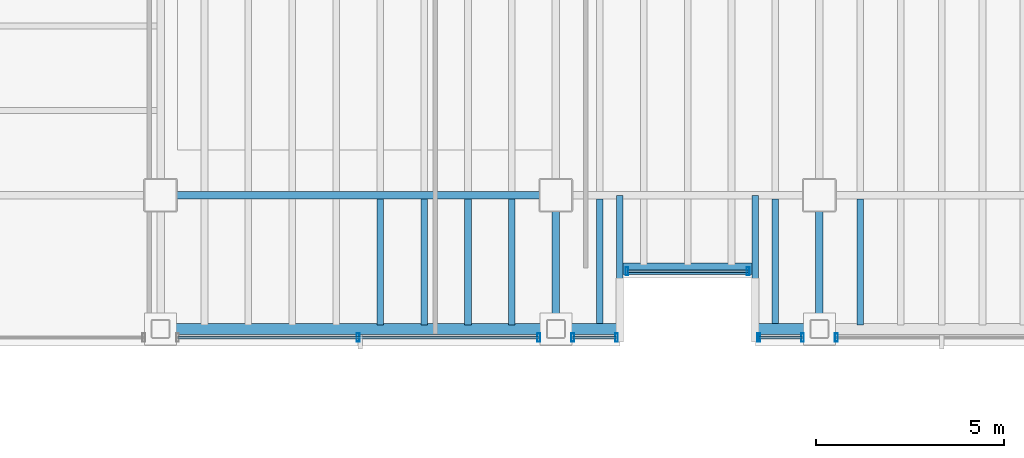
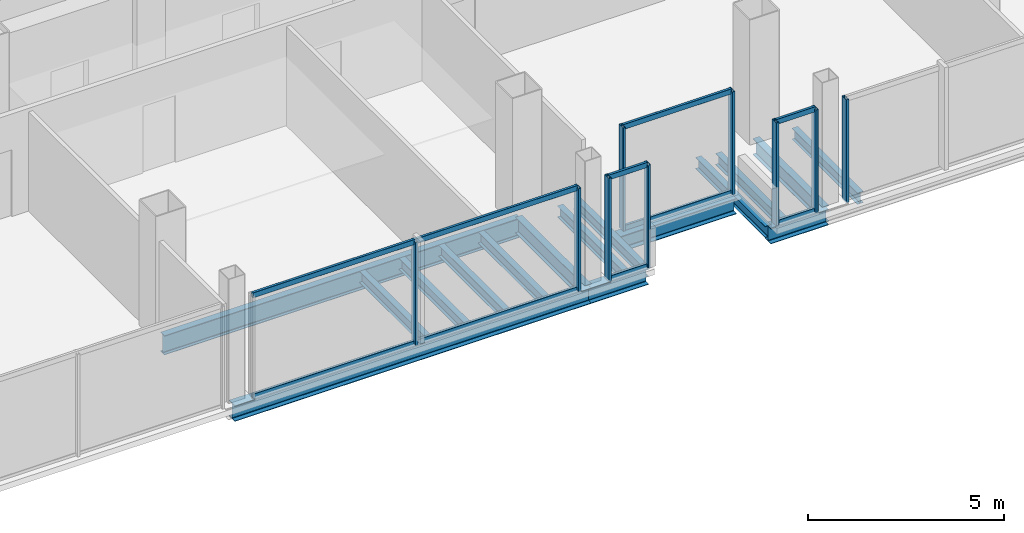
# One storey, part 4 of 19: 17 members, 16 beams, 5 elements without a shape of their own.
"""IFC4 building model written with IfcOpenShell, lengths in metres."""

import ifcopenshell
import ifcopenshell.guid

model = None  # the IFC model being written
_history = None  # IfcOwnerHistory: only IFC2X3 demands one
_inside = {}  # id of a spatial element -> (the spatial element, [elements in it])
_under = {}  # id of a project, library or spatial element -> (it, [spatial elements below it])
_declared = {}  # id of a project -> (the project, [libraries it declares])
_typed = {}  # id of a type object -> (the type object, [elements of that type])
_made_of = {}  # id of a material, layer set ... -> (it, [elements and type objects made of it])


def new_model(schema):
    """Start an empty IFC model of exactly this schema.

    Asked for "IFC4X3", IfcOpenShell would pick the latest addendum, in which some entities
    have other attributes; the version numbers below select the first issue.
    IFC2X3 requires an IfcOwnerHistory on every rooted entity: one is made here for all.
    """
    global model, _history
    if schema == "IFC4X3":
        model = ifcopenshell.file(schema_version=(4, 3, 0, 0))
    else:
        model = ifcopenshell.file(schema=schema)
    _inside.clear()
    _under.clear()
    _declared.clear()
    _typed.clear()
    _made_of.clear()
    _history = None
    if model.schema == "IFC2X3":
        org = make("IfcOrganization", Name="unknown")
        user = make(
            "IfcPersonAndOrganization",
            ThePerson=make("IfcPerson", FamilyName="unknown"),
            TheOrganization=org,
        )
        app = make(
            "IfcApplication",
            ApplicationDeveloper=org,
            Version="unknown",
            ApplicationFullName="unknown",
            ApplicationIdentifier="unknown",
        )
        _history = make(
            "IfcOwnerHistory",
            OwningUser=user,
            OwningApplication=app,
            ChangeAction="ADDED",
            CreationDate=0,
        )
    return model


def make(cls, **values):
    """One entity of the class cls with the attributes given. An attribute that is None is left unset."""
    return model.create_entity(
        cls, **{name: value for name, value in values.items() if value is not None}
    )


def rooted(cls, **values):
    """An entity with a GlobalId (a new one), such as an element, a storey or a relation."""
    return make(cls, GlobalId=ifcopenshell.guid.new(), OwnerHistory=_history, **values)


def si_unit(unit_type, name, prefix=None):
    """IfcSIUnit, for example si_unit("LENGTHUNIT", "METRE", prefix="MILLI")."""
    return make("IfcSIUnit", UnitType=unit_type, Prefix=prefix, Name=name)


def assignment(units):
    """IfcUnitAssignment: the units of a project."""
    return None if units is None else make("IfcUnitAssignment", Units=units)


def point(xyz):
    """IfcCartesianPoint."""
    return None if xyz is None else make("IfcCartesianPoint", Coordinates=xyz)


def direction(xyz):
    """IfcDirection."""
    return None if xyz is None else make("IfcDirection", DirectionRatios=xyz)


def frame(location, z_axis=None, x_axis=None):
    """IfcAxis2Placement3D, a coordinate frame: its origin and axes. An axis left out is left unset."""
    return make(
        "IfcAxis2Placement3D",
        Location=point(location),
        Axis=direction(z_axis),
        RefDirection=direction(x_axis),
    )


def frame_2d(location, x_axis=None):
    """IfcAxis2Placement2D, a coordinate frame in the plane: its origin and x axis."""
    return make(
        "IfcAxis2Placement2D", Location=point(location), RefDirection=direction(x_axis)
    )


def origin():
    """The frame at (0, 0, 0) with its axes left unset."""
    return frame((0.0, 0.0, 0.0))


def origin_2d():
    """The frame at (0, 0) in the plane with its x axis left unset."""
    return frame_2d((0.0, 0.0))


def place(relative_to, where):
    """IfcLocalPlacement: puts the frame where relative to a parent placement (None: the world)."""
    return make(
        "IfcLocalPlacement", PlacementRelTo=relative_to, RelativePlacement=where
    )


def context(
    kind, dimensions, precision=None, world=None, true_north=None, identifier=None
):
    """IfcGeometricRepresentationContext, for example the 3D "Model" context."""
    return make(
        "IfcGeometricRepresentationContext",
        ContextIdentifier=identifier,
        ContextType=kind,
        CoordinateSpaceDimension=dimensions,
        Precision=precision,
        WorldCoordinateSystem=world,
        TrueNorth=true_north,
    )


def subcontext(parent, identifier, kind, view, scale=None):
    """IfcGeometricRepresentationSubContext, for example "Body" below "Model"."""
    return make(
        "IfcGeometricRepresentationSubContext",
        ContextIdentifier=identifier,
        ContextType=kind,
        ParentContext=parent,
        TargetScale=scale,
        TargetView=view,
    )


def project(units=None, contexts=None):
    """IfcProject with its units and contexts."""
    return rooted(
        "IfcProject",
        Name="project",
        RepresentationContexts=contexts,
        UnitsInContext=assignment(units),
    )


def spatial(cls, under=None, at=None, **own):
    """A site, building, storey or space (cls), placed at a placement, below another one or the project."""
    s = rooted(cls, ObjectPlacement=at, **own)
    if under is not None:
        _under.setdefault(under.id(), (under, []))[1].append(s)
    return s


def profile(cls, at=None, kind="AREA", **sizes):
    """A parametric profile (cls). Its sizes go by their IFC names, for example OverallWidth=200.0."""
    return make(cls, ProfileType=kind, Position=at, **sizes)


def hollow_rectangle(**sizes):
    """IfcRectangleHollowProfileDef."""
    return profile("IfcRectangleHollowProfileDef", **sizes)


def i_section(**sizes):
    """IfcIShapeProfileDef."""
    return profile("IfcIShapeProfileDef", **sizes)


def extrude(swept, where, along, depth):
    """IfcExtrudedAreaSolid: the profile swept, set in the frame where, extruded along a direction by depth."""
    return make(
        "IfcExtrudedAreaSolid",
        SweptArea=swept,
        Position=where,
        ExtrudedDirection=direction(along),
        Depth=depth,
    )


def shape(context_of_items, identifier, shape_type, items):
    """IfcShapeRepresentation: the items that make up one representation, for example the "Body"."""
    return make(
        "IfcShapeRepresentation",
        ContextOfItems=context_of_items,
        RepresentationIdentifier=identifier,
        RepresentationType=shape_type,
        Items=items,
    )


def material(Name=None, Category=None):
    """IfcMaterial."""
    return make("IfcMaterial", Name=Name, Category=Category)


def material_profile(
    of_material, cross_section, Name=None, Category=None, Priority=None
):
    """IfcMaterialProfile: a cross section and its material."""
    return make(
        "IfcMaterialProfile",
        Name=Name,
        Material=of_material,
        Profile=cross_section,
        Priority=Priority,
        Category=Category,
    )


def profile_set(profiles, Name=None, composite=None):
    """IfcMaterialProfileSet."""
    return make(
        "IfcMaterialProfileSet",
        Name=Name,
        MaterialProfiles=profiles,
        CompositeProfile=composite,
    )


def made_of(thing, what):
    """Note that an element or type object is made of a material, layer set ...; save() writes the relation."""
    if what is not None:
        _made_of.setdefault(what.id(), (what, []))[1].append(thing)
    return thing


def type_object(cls, material=None, **own):
    """A type object (cls), such as IfcWallType, which elements share."""
    return made_of(rooted(cls, **own), material)


def element(
    cls,
    number,
    at=None,
    inside=None,
    cuts=None,
    type_object=None,
    material=None,
    context=None,
    identifier="Body",
    shape_type=None,
    held_by="IfcProductDefinitionShape",
    body=None,
    shapes=None,
    **own,
):
    """One element of the class cls, such as IfcWall. Its Tag is "e" and its number.

    at: its placement. inside: the storey or other place that contains it. cuts: it is an
    opening in that element (IfcRelVoidsElement). A single representation is given by context,
    identifier, shape_type and body (its items); several are given by shapes. held_by: the class
    of the entity that holds the representations. save() writes the other relations.
    """
    e = rooted(cls, Tag="e%d" % number, ObjectPlacement=at, **own)
    if body is not None:
        shapes = [shape(context, identifier, shape_type, body)]
    if shapes is not None:
        e.Representation = make(held_by, Representations=shapes)
    if inside is not None:
        _inside.setdefault(inside.id(), (inside, []))[1].append(e)
    if cuts is not None:
        rooted(
            "IfcRelVoidsElement", RelatingBuildingElement=cuts, RelatedOpeningElement=e
        )
    if type_object is not None:
        _typed.setdefault(type_object.id(), (type_object, []))[1].append(e)
    return made_of(e, material)


def aggregate(whole, parts):
    """IfcRelAggregates: a whole, such as a stair, and the parts it consists of."""
    return rooted("IfcRelAggregates", RelatingObject=whole, RelatedObjects=parts)


def save(model, path):
    """Write the relations noted so far, then the file.

    IfcRelAggregates (storeys below a building ...), IfcRelContainedInSpatialStructure (elements
    in a storey), IfcRelDefinesByType, IfcRelAssociatesMaterial and IfcRelDeclares: one each for
    every whole, place, type object, material and project.
    """
    for whole, parts in _under.values():
        aggregate(whole, parts)
    for where, things in _inside.values():
        rooted(
            "IfcRelContainedInSpatialStructure",
            RelatedElements=things,
            RelatingStructure=where,
        )
    for kind, things in _typed.values():
        rooted("IfcRelDefinesByType", RelatedObjects=things, RelatingType=kind)
    for what, things in _made_of.values():
        rooted("IfcRelAssociatesMaterial", RelatedObjects=things, RelatingMaterial=what)
    for by, libraries in _declared.values():
        rooted("IfcRelDeclares", RelatingContext=by, RelatedDefinitions=libraries)
    model.write(path)


model = new_model("IFC4")

# Units and contexts
model_context = context("Model", 3, precision=1e-05, world=origin(), true_north=direction((0.0, 1.0)))
body_context = subcontext(model_context, "Body", "Model", "MODEL_VIEW")
ifc_project = project(units=[si_unit("LENGTHUNIT", "METRE"), si_unit("AREAUNIT", "SQUARE_METRE"), si_unit("VOLUMEUNIT", "CUBIC_METRE"), si_unit("PLANEANGLEUNIT", "RADIAN"), si_unit("MASSUNIT", "GRAM", prefix="KILO")], contexts=[model_context])

# Site, building, storey
site_placement = place(None, origin())
site = spatial("IfcSite", under=ifc_project, at=site_placement, CompositionType="ELEMENT")
building_placement = place(site_placement, origin())
building = spatial("IfcBuilding", under=site, at=building_placement, Name="Noeulbin Bourse Tower", CompositionType="ELEMENT")
storey_placement = place(building_placement, frame((0.0, 0.0, 150.0)))
storey = spatial("IfcBuildingStorey", under=building, at=storey_placement, Name="L37", CompositionType="ELEMENT", Elevation=150.0)

# Beams
ifc_material_1 = material(Name="Steel S355", Category="steel")
ifc_material_profile_1 = material_profile(ifc_material_1, i_section(OverallWidth=0.199951171875, OverallDepth=0.5, WebThickness=0.010009765625, FlangeThickness=0.01611328125, FilletRadius=0.02001953125, at=origin_2d()), Name="H-500x200x10x16", Category="LoadBearing")
ifc_profile_set_1 = profile_set([ifc_material_profile_1], Name="Steel S355")
beam_type_1 = type_object("IfcBeamType", Name="BM-GRD-500", PredefinedType="USERDEFINED", material=ifc_profile_set_1)
for number, where, z_axis, x_axis, name in (
    (1, (24.0, 16.449951171875, -0.429931640625), (0.0, 1.0, 0.0), (-1.0, 0.0, 0.0), "Tower Primary Girder NS L37-2.1"),
    (2, (31.0, 16.449951171875, -0.429931640625), (0.0, 1.0, 0.0), (-1.0, 0.0, 0.0), "Tower Primary Girder NS L37-3.1"),
):
    element("IfcBeam", number, at=place(storey_placement, frame(where, z_axis=z_axis, x_axis=x_axis)), inside=storey, type_object=beam_type_1, Name=name, ObjectType="GIRDER", PredefinedType="USERDEFINED", context=body_context, shape_type="SweptSolid", body=[
        extrude(i_section(OverallWidth=0.199951171875, OverallDepth=0.5, WebThickness=0.010009765625, FlangeThickness=0.01611328125, FilletRadius=0.02001953125, at=origin_2d()), origin(), (0.0, 0.0, 1.0), 3.550048828125),
    ])
ifc_material_profile_2 = material_profile(ifc_material_1, i_section(OverallWidth=0.199951171875, OverallDepth=0.60009765625, WebThickness=0.010986328125, FlangeThickness=0.01708984375, FilletRadius=0.02197265625, at=origin_2d()), Name="H-600x200x11x17", Category="LoadBearing")
ifc_profile_set_2 = profile_set([ifc_material_profile_2], Name="Steel S355")
beam_type_2 = type_object("IfcBeamType", Name="BM-GRD-600", PredefinedType="USERDEFINED", material=ifc_profile_set_2)
beam_1_placement = place(storey_placement, frame((13.5, 20.0, -0.47998046875), z_axis=(1.0, 0.0, 0.0), x_axis=(0.0, 1.0, 0.0)))
element("IfcBeam", 3, at=beam_1_placement, inside=storey, type_object=beam_type_2, Name="Tower Primary Girder EW L37-1.2", ObjectType="GIRDER", PredefinedType="USERDEFINED", context=body_context, shape_type="SweptSolid", body=[
    extrude(i_section(OverallWidth=0.199951171875, OverallDepth=0.60009765625, WebThickness=0.010986328125, FlangeThickness=0.01708984375, FilletRadius=0.02197265625, at=origin_2d()), origin(), (0.0, 0.0, 1.0), 10.5),
])
ifc_material_profile_3 = material_profile(ifc_material_1, i_section(OverallWidth=0.175048828125, OverallDepth=0.35009765625, WebThickness=0.007080078125, FlangeThickness=0.010986328125, FilletRadius=0.013916015625, at=origin_2d()), Name="H-350x175x7x11", Category="LoadBearing")
ifc_profile_set_3 = profile_set([ifc_material_profile_3], Name="Steel S355")
beam_type_3 = type_object("IfcBeamType", Name="BM-JST-350", PredefinedType="JOIST", material=ifc_profile_set_3)
for number, where, z_axis, x_axis, name in (
    (4, (25.699951171875, 16.449951171875, -0.35498046875), (0.0, 1.0, 0.0), (-1.0, 0.0, 0.0), "BM-L37-SRT-W"),
    (5, (29.300048828125, 16.449951171875, -0.35498046875), (0.0, 1.0, 0.0), (-1.0, 0.0, 0.0), "BM-L37-SRT-E"),
):
    element("IfcBeam", number, at=place(storey_placement, frame(where, z_axis=z_axis, x_axis=x_axis)), inside=storey, type_object=beam_type_3, Name=name, PredefinedType="JOIST", context=body_context, shape_type="SweptSolid", body=[
        extrude(i_section(OverallWidth=0.175048828125, OverallDepth=0.35009765625, WebThickness=0.007080078125, FlangeThickness=0.010986328125, FilletRadius=0.013916015625, at=origin_2d()), origin(), (0.0, 0.0, 1.0), 3.550048828125),
    ])
for number, where, z_axis, x_axis, name in (
    (6, (19.333251953125, 16.550048828125, -0.35498046875), (0.0, 1.0, 0.0), (-1.0, 0.0, 0.0), "Tower Composite Joist L37-13"),
    (7, (20.5, 16.550048828125, -0.35498046875), (0.0, 1.0, 0.0), (-1.0, 0.0, 0.0), "Tower Composite Joist L37-16"),
    (8, (21.666748046875, 16.550048828125, -0.35498046875), (0.0, 1.0, 0.0), (-1.0, 0.0, 0.0), "Tower Composite Joist L37-19"),
    (9, (22.833251953125, 16.550048828125, -0.35498046875), (0.0, 1.0, 0.0), (-1.0, 0.0, 0.0), "Tower Composite Joist L37-22"),
    (10, (25.166748046875, 16.550048828125, -0.35498046875), (0.0, 1.0, 0.0), (-1.0, 0.0, 0.0), "Tower Composite Joist L37-25"),
    (11, (29.833251953125, 16.550048828125, -0.35498046875), (0.0, 1.0, 0.0), (-1.0, 0.0, 0.0), "Tower Composite Joist L37-37"),
    (12, (32.083251953125, 16.550048828125, -0.35498046875), (0.0, 1.0, 0.0), (-1.0, 0.0, 0.0), "Tower Composite Joist L37-40"),
):
    element("IfcBeam", number, at=place(storey_placement, frame(where, z_axis=z_axis, x_axis=x_axis)), inside=storey, type_object=beam_type_3, Name=name, PredefinedType="JOIST", context=body_context, shape_type="SweptSolid", body=[
        extrude(i_section(OverallWidth=0.175048828125, OverallDepth=0.35009765625, WebThickness=0.007080078125, FlangeThickness=0.010986328125, FilletRadius=0.013916015625, at=origin_2d()), origin(), (0.0, 0.0, 1.0), 3.349853515625),
    ])
ifc_material_profile_4 = material_profile(ifc_material_1, i_section(OverallWidth=0.300048828125, OverallDepth=0.488037109375, WebThickness=0.010986328125, FlangeThickness=0.01806640625, FilletRadius=0.02197265625, at=origin_2d()), Name="H-488x300x11x18", Category="LoadBearing")
ifc_profile_set_4 = profile_set([ifc_material_profile_4], Name="Steel S355")
beam_type_4 = type_object("IfcBeamType", Name="BM-SPN-488", PredefinedType="SPANDREL", material=ifc_profile_set_4)
beam_2_placement = place(storey_placement, frame((13.5, 16.449951171875, -0.424072265625), z_axis=(1.0, 0.0, 0.0), x_axis=(0.0, 1.0, 0.0)))
element("IfcBeam", 13, at=beam_2_placement, inside=storey, type_object=beam_type_4, Name="South Spandrel L37-1", PredefinedType="SPANDREL", context=body_context, shape_type="SweptSolid", body=[
    extrude(i_section(OverallWidth=0.300048828125, OverallDepth=0.488037109375, WebThickness=0.010986328125, FlangeThickness=0.01806640625, FilletRadius=0.02197265625, at=origin_2d()), origin(), (0.0, 0.0, 1.0), 10.5),
])
beam_3_placement = place(storey_placement, frame((25.78759765625, 18.050048828125, -0.424072265625), z_axis=(1.0, 0.0, 0.0), x_axis=(0.0, 1.0, 0.0)))
element("IfcBeam", 14, at=beam_3_placement, inside=storey, type_object=beam_type_4, Name="South Recess Spandrel L37-2B", PredefinedType="SPANDREL", context=body_context, shape_type="SweptSolid", body=[
    extrude(i_section(OverallWidth=0.300048828125, OverallDepth=0.488037109375, WebThickness=0.010986328125, FlangeThickness=0.01806640625, FilletRadius=0.02197265625, at=origin_2d()), origin(), (0.0, 0.0, 1.0), 3.4248046875),
])
for number, where, z_axis, x_axis, name in (
    (15, (24.0, 16.449951171875, -0.424072265625), (1.0, 0.0, 0.0), (0.0, 1.0, 0.0), "South Spandrel L37-2A"),
    (16, (29.300048828125, 16.449951171875, -0.424072265625), (1.0, 0.0, 0.0), (0.0, 1.0, 0.0), "South Spandrel L37-2C"),
):
    element("IfcBeam", number, at=place(storey_placement, frame(where, z_axis=z_axis, x_axis=x_axis)), inside=storey, type_object=beam_type_4, Name=name, PredefinedType="SPANDREL", context=body_context, shape_type="SweptSolid", body=[
        extrude(i_section(OverallWidth=0.300048828125, OverallDepth=0.488037109375, WebThickness=0.010986328125, FlangeThickness=0.01806640625, FilletRadius=0.02197265625, at=origin_2d()), origin(), (0.0, 0.0, 1.0), 1.699951171875),
    ])

# Curtain wall, members
ifc_material_2 = material(Name="Dark Tinted Triple Glazing", Category="glass")
curtain_wall_type = type_object("IfcCurtainWallType", Name="CW-SYS-3", PredefinedType="NOTDEFINED", material=ifc_material_2)
curtain_wall_1_placement = place(storey_placement, origin())
curtain_wall_1 = element("IfcCurtainWall", 17, at=curtain_wall_1_placement, inside=storey, type_object=curtain_wall_type, Name="Unitised Curtain Wall CW-L37-SREC", PredefinedType="NOTDEFINED")
ifc_material_3 = material(Name="Anodised Aluminium 6063-T6", Category="aluminium")
ifc_material_profile_5 = material_profile(ifc_material_3, hollow_rectangle(XDim=0.074951171875, YDim=0.219970703125, WallThickness=0.0048828125, InnerFilletRadius=0.00244140625, OuterFilletRadius=0.0048828125, at=origin_2d()), Name="ALU-MULL-75x220x5", Category="LoadBearing")
ifc_profile_set_5 = profile_set([ifc_material_profile_5], Name="Anodised Aluminium 6063-T6")
member_type_1 = type_object("IfcMemberType", Name="CW-SYS-3-MUL", PredefinedType="MULLION", material=ifc_profile_set_5)
member_1_placement = place(storey_placement, frame((25.889892578125, 17.97998046875, -0.02001953125), z_axis=(0.0, 0.0, 1.0), x_axis=(1.0, 0.0, 0.0)))
member_1 = element("IfcMember", 18, at=member_1_placement, type_object=member_type_1, Name="Curtain Wall Mullion CW-L37-SREC-M00", PredefinedType="MULLION", context=body_context, shape_type="SweptSolid", body=[
    extrude(hollow_rectangle(XDim=0.074951171875, YDim=0.219970703125, WallThickness=0.0048828125, InnerFilletRadius=0.00244140625, OuterFilletRadius=0.0048828125, at=origin_2d()), origin(), (0.0, 0.0, 1.0), 3.219970703125),
])
member_2_placement = place(storey_placement, frame((29.110107421875, 17.97998046875, -0.02001953125), z_axis=(0.0, 0.0, 1.0), x_axis=(1.0, 0.0, 0.0)))
member_2 = element("IfcMember", 19, at=member_2_placement, type_object=member_type_1, Name="Curtain Wall Mullion CW-L37-SREC-M01", PredefinedType="MULLION", context=body_context, shape_type="SweptSolid", body=[
    extrude(hollow_rectangle(XDim=0.074951171875, YDim=0.219970703125, WallThickness=0.0048828125, InnerFilletRadius=0.00244140625, OuterFilletRadius=0.0048828125, at=origin_2d()), origin(), (0.0, 0.0, 1.0), 3.219970703125),
])

curtain_wall_2_placement = place(storey_placement, origin())
curtain_wall_2 = element("IfcCurtainWall", 20, at=curtain_wall_2_placement, inside=storey, type_object=curtain_wall_type, Name="Unitised Curtain Wall CW-L37-S1-S2", PredefinedType="NOTDEFINED")
member_3_placement = place(storey_placement, frame((18.75, 16.219970703125, -0.02001953125), z_axis=(0.0, 0.0, 1.0), x_axis=(1.0, 0.0, 0.0)))
member_3 = element("IfcMember", 21, at=member_3_placement, type_object=member_type_1, Name="Curtain Wall Mullion CW-L37-S1-S2-M01", PredefinedType="MULLION", context=body_context, shape_type="SweptSolid", body=[
    extrude(hollow_rectangle(XDim=0.074951171875, YDim=0.219970703125, WallThickness=0.0048828125, InnerFilletRadius=0.00244140625, OuterFilletRadius=0.0048828125, at=origin_2d()), origin(), (0.0, 0.0, 1.0), 3.219970703125),
])
member_4_placement = place(storey_placement, frame((23.550048828125, 16.219970703125, -0.02001953125), z_axis=(0.0, 0.0, 1.0), x_axis=(1.0, 0.0, 0.0)))
member_4 = element("IfcMember", 22, at=member_4_placement, type_object=member_type_1, Name="Curtain Wall Mullion CW-L37-S1-S2-M02", PredefinedType="MULLION", context=body_context, shape_type="SweptSolid", body=[
    extrude(hollow_rectangle(XDim=0.074951171875, YDim=0.219970703125, WallThickness=0.0048828125, InnerFilletRadius=0.00244140625, OuterFilletRadius=0.0048828125, at=origin_2d()), origin(), (0.0, 0.0, 1.0), 3.219970703125),
])

curtain_wall_3_placement = place(storey_placement, origin())
curtain_wall_3 = element("IfcCurtainWall", 23, at=curtain_wall_3_placement, inside=storey, type_object=curtain_wall_type, Name="Unitised Curtain Wall CW-L37-S1-S3", PredefinedType="NOTDEFINED")
member_5_placement = place(storey_placement, frame((24.449951171875, 16.219970703125, -0.02001953125), z_axis=(0.0, 0.0, 1.0), x_axis=(1.0, 0.0, 0.0)))
member_5 = element("IfcMember", 24, at=member_5_placement, type_object=member_type_1, Name="Curtain Wall Mullion CW-L37-S1-S3-M00", PredefinedType="MULLION", context=body_context, shape_type="SweptSolid", body=[
    extrude(hollow_rectangle(XDim=0.074951171875, YDim=0.219970703125, WallThickness=0.0048828125, InnerFilletRadius=0.00244140625, OuterFilletRadius=0.0048828125, at=origin_2d()), origin(), (0.0, 0.0, 1.0), 3.219970703125),
])
member_6_placement = place(storey_placement, frame((25.610107421875, 16.219970703125, -0.02001953125), z_axis=(0.0, 0.0, 1.0), x_axis=(1.0, 0.0, 0.0)))
member_6 = element("IfcMember", 25, at=member_6_placement, type_object=member_type_1, Name="Curtain Wall Mullion CW-L37-S1-S3-M01", PredefinedType="MULLION", context=body_context, shape_type="SweptSolid", body=[
    extrude(hollow_rectangle(XDim=0.074951171875, YDim=0.219970703125, WallThickness=0.0048828125, InnerFilletRadius=0.00244140625, OuterFilletRadius=0.0048828125, at=origin_2d()), origin(), (0.0, 0.0, 1.0), 3.219970703125),
])

curtain_wall_4_placement = place(storey_placement, origin())
curtain_wall_4 = element("IfcCurtainWall", 26, at=curtain_wall_4_placement, inside=storey, type_object=curtain_wall_type, Name="Unitised Curtain Wall CW-L37-S2-S1", PredefinedType="NOTDEFINED")
member_7_placement = place(storey_placement, frame((29.389892578125, 16.219970703125, -0.02001953125), z_axis=(0.0, 0.0, 1.0), x_axis=(1.0, 0.0, 0.0)))
member_7 = element("IfcMember", 27, at=member_7_placement, type_object=member_type_1, Name="Curtain Wall Mullion CW-L37-S2-S1-M00", PredefinedType="MULLION", context=body_context, shape_type="SweptSolid", body=[
    extrude(hollow_rectangle(XDim=0.074951171875, YDim=0.219970703125, WallThickness=0.0048828125, InnerFilletRadius=0.00244140625, OuterFilletRadius=0.0048828125, at=origin_2d()), origin(), (0.0, 0.0, 1.0), 3.219970703125),
])
member_8_placement = place(storey_placement, frame((30.550048828125, 16.219970703125, -0.02001953125), z_axis=(0.0, 0.0, 1.0), x_axis=(1.0, 0.0, 0.0)))
member_8 = element("IfcMember", 28, at=member_8_placement, type_object=member_type_1, Name="Curtain Wall Mullion CW-L37-S2-S1-M01", PredefinedType="MULLION", context=body_context, shape_type="SweptSolid", body=[
    extrude(hollow_rectangle(XDim=0.074951171875, YDim=0.219970703125, WallThickness=0.0048828125, InnerFilletRadius=0.00244140625, OuterFilletRadius=0.0048828125, at=origin_2d()), origin(), (0.0, 0.0, 1.0), 3.219970703125),
])

# Curtain wall, member
curtain_wall_5_placement = place(storey_placement, origin())
curtain_wall_5 = element("IfcCurtainWall", 29, at=curtain_wall_5_placement, inside=storey, type_object=curtain_wall_type, Name="Unitised Curtain Wall CW-L37-S2-S2", PredefinedType="NOTDEFINED")
member_9_placement = place(storey_placement, frame((31.449951171875, 16.219970703125, -0.02001953125), z_axis=(0.0, 0.0, 1.0), x_axis=(1.0, 0.0, 0.0)))
member_9 = element("IfcMember", 30, at=member_9_placement, type_object=member_type_1, Name="Curtain Wall Mullion CW-L37-S2-S2-M00", PredefinedType="MULLION", context=body_context, shape_type="SweptSolid", body=[
    extrude(hollow_rectangle(XDim=0.074951171875, YDim=0.219970703125, WallThickness=0.0048828125, InnerFilletRadius=0.00244140625, OuterFilletRadius=0.0048828125, at=origin_2d()), origin(), (0.0, 0.0, 1.0), 3.219970703125),
])
aggregate(curtain_wall_5, [member_9])

# Member
ifc_material_profile_6 = material_profile(ifc_material_3, hollow_rectangle(XDim=0.074951171875, YDim=0.159912109375, WallThickness=0.0048828125, InnerFilletRadius=0.00244140625, OuterFilletRadius=0.0048828125, at=origin_2d()), Name="ALU-TRAN-75x160x5", Category="LoadBearing")
ifc_profile_set_6 = profile_set([ifc_material_profile_6], Name="Anodised Aluminium 6063-T6")
member_type_2 = type_object("IfcMemberType", Name="CW-SYS-3-TRN", PredefinedType="USERDEFINED", material=ifc_profile_set_6)
member_10_placement = place(storey_placement, frame((25.89990234375, 17.97998046875, 0.010009765625), z_axis=(1.0, 0.0, 0.0), x_axis=(0.0, 1.0, 0.0)))
member_10 = element("IfcMember", 31, at=member_10_placement, type_object=member_type_2, Name="Curtain Wall Transom CW-L37-SREC-T00", ObjectType="TRANSOM", PredefinedType="USERDEFINED", context=body_context, shape_type="SweptSolid", body=[
    extrude(hollow_rectangle(XDim=0.074951171875, YDim=0.159912109375, WallThickness=0.0048828125, InnerFilletRadius=0.00244140625, OuterFilletRadius=0.0048828125, at=origin_2d()), origin(), (0.0, 0.0, 1.0), 3.2001953125),
])

member_11_placement = place(storey_placement, frame((25.89990234375, 17.97998046875, 3.169921875), z_axis=(1.0, 0.0, 0.0), x_axis=(0.0, 1.0, 0.0)))
member_11 = element("IfcMember", 32, at=member_11_placement, type_object=member_type_2, Name="Curtain Wall Transom CW-L37-SREC-T01", ObjectType="TRANSOM", PredefinedType="USERDEFINED", context=body_context, shape_type="SweptSolid", body=[
    extrude(hollow_rectangle(XDim=0.074951171875, YDim=0.159912109375, WallThickness=0.0048828125, InnerFilletRadius=0.00244140625, OuterFilletRadius=0.0048828125, at=origin_2d()), origin(), (0.0, 0.0, 1.0), 3.2001953125),
])

aggregate(curtain_wall_1, [member_1, member_2, member_10, member_11])

member_12_placement = place(storey_placement, frame((13.9599609375, 16.219970703125, 0.010009765625), z_axis=(1.0, 0.0, 0.0), x_axis=(0.0, 1.0, 0.0)))
member_12 = element("IfcMember", 33, at=member_12_placement, type_object=member_type_2, Name="Curtain Wall Transom CW-L37-S1-S2-T00", ObjectType="TRANSOM", PredefinedType="USERDEFINED", context=body_context, shape_type="SweptSolid", body=[
    extrude(hollow_rectangle(XDim=0.074951171875, YDim=0.159912109375, WallThickness=0.0048828125, InnerFilletRadius=0.00244140625, OuterFilletRadius=0.0048828125, at=origin_2d()), origin(), (0.0, 0.0, 1.0), 9.580078125),
])

member_13_placement = place(storey_placement, frame((13.9599609375, 16.219970703125, 3.169921875), z_axis=(1.0, 0.0, 0.0), x_axis=(0.0, 1.0, 0.0)))
member_13 = element("IfcMember", 34, at=member_13_placement, type_object=member_type_2, Name="Curtain Wall Transom CW-L37-S1-S2-T01", ObjectType="TRANSOM", PredefinedType="USERDEFINED", context=body_context, shape_type="SweptSolid", body=[
    extrude(hollow_rectangle(XDim=0.074951171875, YDim=0.159912109375, WallThickness=0.0048828125, InnerFilletRadius=0.00244140625, OuterFilletRadius=0.0048828125, at=origin_2d()), origin(), (0.0, 0.0, 1.0), 9.580078125),
])

aggregate(curtain_wall_2, [member_3, member_4, member_12, member_13])

member_14_placement = place(storey_placement, frame((24.4599609375, 16.219970703125, 0.010009765625), z_axis=(1.0, 0.0, 0.0), x_axis=(0.0, 1.0, 0.0)))
member_14 = element("IfcMember", 35, at=member_14_placement, type_object=member_type_2, Name="Curtain Wall Transom CW-L37-S1-S3-T00", ObjectType="TRANSOM", PredefinedType="USERDEFINED", context=body_context, shape_type="SweptSolid", body=[
    extrude(hollow_rectangle(XDim=0.074951171875, YDim=0.159912109375, WallThickness=0.0048828125, InnerFilletRadius=0.00244140625, OuterFilletRadius=0.0048828125, at=origin_2d()), origin(), (0.0, 0.0, 1.0), 1.14013671875),
])

member_15_placement = place(storey_placement, frame((24.4599609375, 16.219970703125, 3.169921875), z_axis=(1.0, 0.0, 0.0), x_axis=(0.0, 1.0, 0.0)))
member_15 = element("IfcMember", 36, at=member_15_placement, type_object=member_type_2, Name="Curtain Wall Transom CW-L37-S1-S3-T01", ObjectType="TRANSOM", PredefinedType="USERDEFINED", context=body_context, shape_type="SweptSolid", body=[
    extrude(hollow_rectangle(XDim=0.074951171875, YDim=0.159912109375, WallThickness=0.0048828125, InnerFilletRadius=0.00244140625, OuterFilletRadius=0.0048828125, at=origin_2d()), origin(), (0.0, 0.0, 1.0), 1.14013671875),
])

aggregate(curtain_wall_3, [member_5, member_6, member_14, member_15])

member_16_placement = place(storey_placement, frame((29.39990234375, 16.219970703125, 0.010009765625), z_axis=(1.0, 0.0, 0.0), x_axis=(0.0, 1.0, 0.0)))
member_16 = element("IfcMember", 37, at=member_16_placement, type_object=member_type_2, Name="Curtain Wall Transom CW-L37-S2-S1-T00", ObjectType="TRANSOM", PredefinedType="USERDEFINED", context=body_context, shape_type="SweptSolid", body=[
    extrude(hollow_rectangle(XDim=0.074951171875, YDim=0.159912109375, WallThickness=0.0048828125, InnerFilletRadius=0.00244140625, OuterFilletRadius=0.0048828125, at=origin_2d()), origin(), (0.0, 0.0, 1.0), 1.14013671875),
])

member_17_placement = place(storey_placement, frame((29.39990234375, 16.219970703125, 3.169921875), z_axis=(1.0, 0.0, 0.0), x_axis=(0.0, 1.0, 0.0)))
member_17 = element("IfcMember", 38, at=member_17_placement, type_object=member_type_2, Name="Curtain Wall Transom CW-L37-S2-S1-T01", ObjectType="TRANSOM", PredefinedType="USERDEFINED", context=body_context, shape_type="SweptSolid", body=[
    extrude(hollow_rectangle(XDim=0.074951171875, YDim=0.159912109375, WallThickness=0.0048828125, InnerFilletRadius=0.00244140625, OuterFilletRadius=0.0048828125, at=origin_2d()), origin(), (0.0, 0.0, 1.0), 1.14013671875),
])

aggregate(curtain_wall_4, [member_7, member_8, member_16, member_17])

save(model, "model.ifc")
